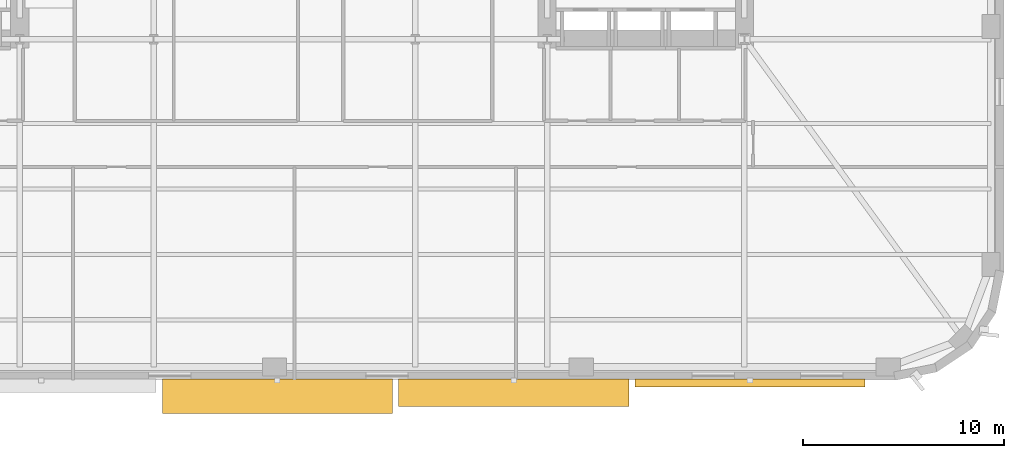
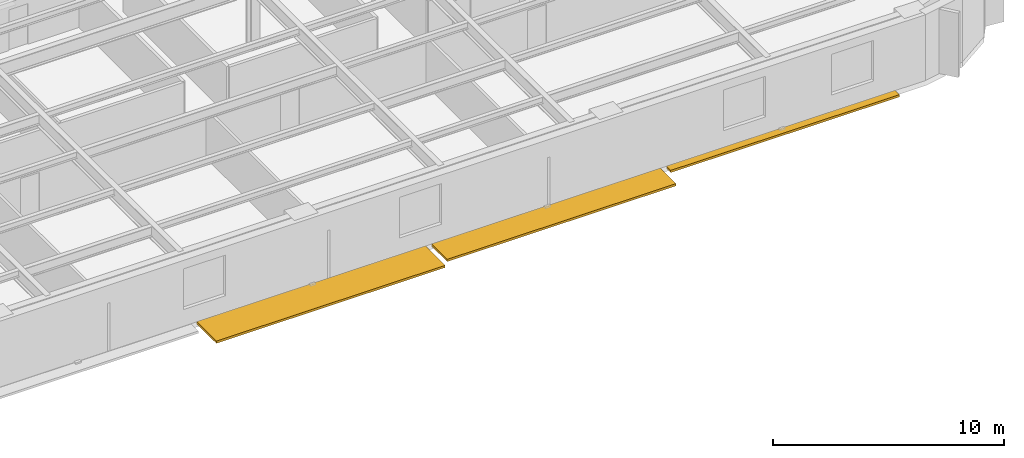
# One storey, part 11 of 15: 3 shading devices.
"""IFC4 building model written with IfcOpenShell, lengths in metres."""

from ifc_helpers import new_model, si_unit, direction, frame, origin, origin_2d, place, context, subcontext, project, spatial, rectangle, extrude, material, type_object, element, save


model = new_model("IFC4")

# Units and contexts
model_context = context("Model", 3, precision=1e-05, world=origin(), true_north=direction((0.0, 1.0)))
body_context = subcontext(model_context, "Body", "Model", "MODEL_VIEW")
ifc_project = project(units=[si_unit("LENGTHUNIT", "METRE"), si_unit("AREAUNIT", "SQUARE_METRE"), si_unit("VOLUMEUNIT", "CUBIC_METRE"), si_unit("PLANEANGLEUNIT", "RADIAN"), si_unit("MASSUNIT", "GRAM", prefix="KILO")], contexts=[model_context])

# Site, building, storey
site_placement = place(None, origin())
site = spatial("IfcSite", under=ifc_project, at=site_placement, CompositionType="ELEMENT")
building_placement = place(site_placement, origin())
building = spatial("IfcBuilding", under=site, at=building_placement, Name="Kolvaren Arena Tower", CompositionType="ELEMENT")
storey_placement = place(building_placement, frame((0.0, 0.0, 83.25)))
storey = spatial("IfcBuildingStorey", under=building, at=storey_placement, Name="L18", CompositionType="ELEMENT", Elevation=83.25)

# Shading devices
ifc_material = material(Name="Architectural precast GFRC and anodised aluminium sunshade", Category="concrete")
shading_device_type_1 = type_object("IfcShadingDeviceType", Name="SHAD-SINE-A", PredefinedType="USERDEFINED", material=ifc_material)
shading_device_1_placement = place(storey_placement, frame((60.6298828125, 2.358154296875, -0.14013671875), z_axis=(0.0, 0.0, 1.0), x_axis=(-1.0, 0.0, 0.0)))
element("IfcShadingDevice", 1, at=shading_device_1_placement, inside=storey, type_object=shading_device_type_1, Name="Sinusoidal Slab-Edge Sunshade Louvre (L18)", ObjectType="LOUVRE", PredefinedType="USERDEFINED", context=body_context, shape_type="SweptSolid", body=[
    extrude(rectangle(XDim=11.43994140625, YDim=0.3837890625, at=origin_2d()), origin(), (0.0, 0.0, 1.0), 0.1201171875),
])
shading_device_type_2 = type_object("IfcShadingDeviceType", Name="SHAD-SINE-B", PredefinedType="JALOUSIE", material=ifc_material)
shading_device_2_placement = place(storey_placement, frame((48.889892578125, 1.868408203125, -0.14013671875), z_axis=(0.0, 0.0, 1.0), x_axis=(-1.0, 0.0, 0.0)))
element("IfcShadingDevice", 2, at=shading_device_2_placement, inside=storey, type_object=shading_device_type_2, Name="Sinusoidal Slab-Edge Sunshade Louvre (L18)", PredefinedType="JALOUSIE", context=body_context, shape_type="SweptSolid", body=[
    extrude(rectangle(XDim=11.43994140625, YDim=1.36279296875, at=origin_2d()), origin(), (0.0, 0.0, 1.0), 0.1201171875),
])
shading_device_3_placement = place(storey_placement, frame((37.14990234375, 1.6962890625, -0.14013671875), z_axis=(0.0, 0.0, 1.0), x_axis=(-1.0, 0.0, 0.0)))
element("IfcShadingDevice", 3, at=shading_device_3_placement, inside=storey, type_object=shading_device_type_2, Name="Sinusoidal Slab-Edge Sunshade Louvre (L18)", PredefinedType="JALOUSIE", context=body_context, shape_type="SweptSolid", body=[
    extrude(rectangle(XDim=11.43994140625, YDim=1.70751953125, at=origin_2d()), origin(), (0.0, 0.0, 1.0), 0.1201171875),
])

save(model, "model.ifc")
